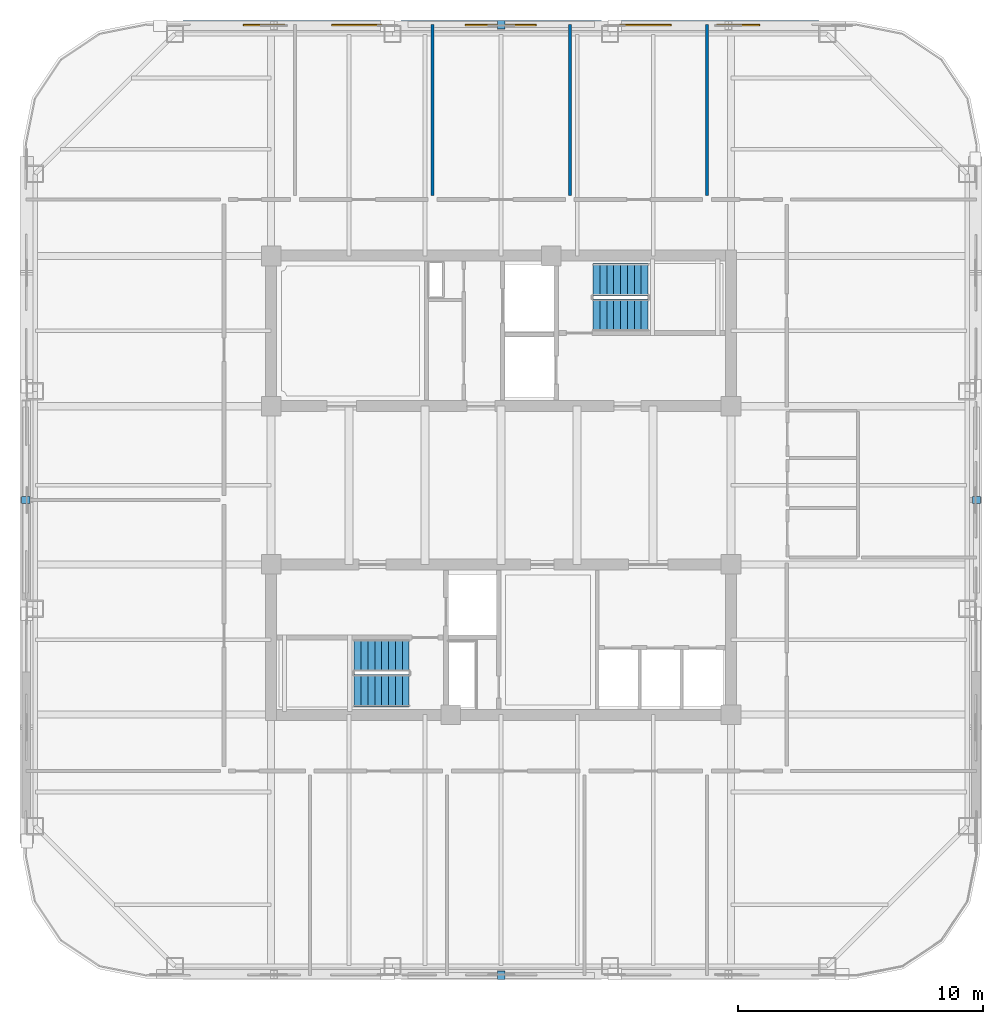
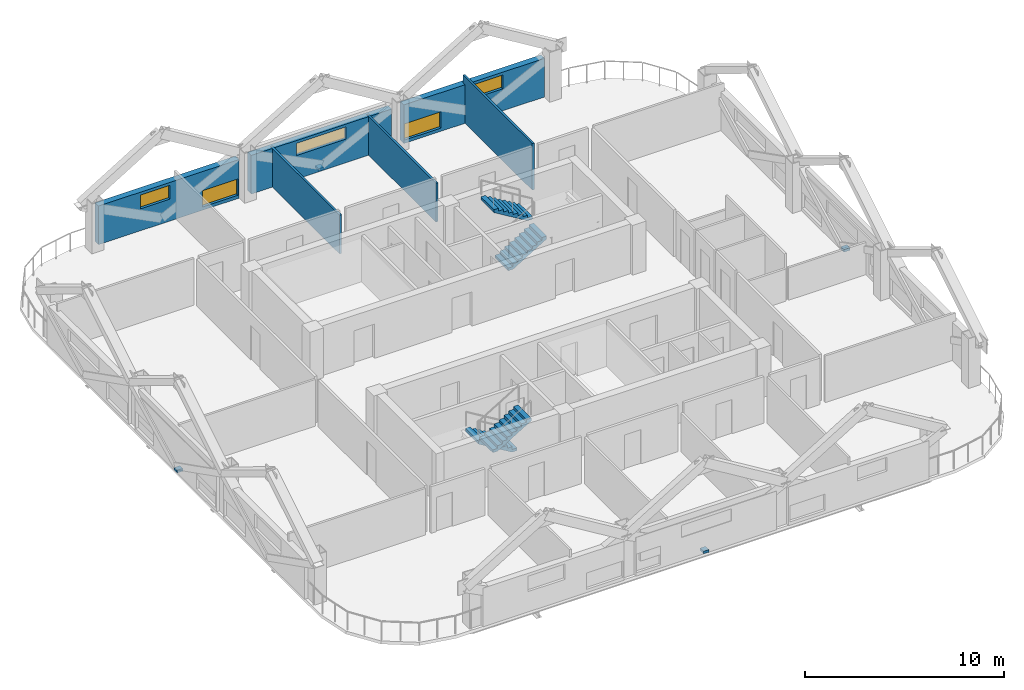
# One storey, part 6 of 9: 6 walls, 5 windows, 4 discrete accessories, 4 stair flights, 5 openings, 2 elements without a shape of their own.
"""IFC4 building model written with IfcOpenShell, lengths in metres."""

from ifc_helpers import new_model, si_unit, direction, frame, frame_2d, origin, origin_2d, place, context, subcontext, project, spatial, polyline, rectangle, outline, extrude, material, layer, layer_set, type_object, element, fill, aggregate, save


model = new_model("IFC4")

# Units and contexts
model_context = context("Model", 3, precision=1e-05, world=origin(), true_north=direction((0.0, 1.0)))
body_context = subcontext(model_context, "Body", "Model", "MODEL_VIEW")
ifc_project = project(units=[si_unit("LENGTHUNIT", "METRE"), si_unit("AREAUNIT", "SQUARE_METRE"), si_unit("VOLUMEUNIT", "CUBIC_METRE"), si_unit("PLANEANGLEUNIT", "RADIAN"), si_unit("MASSUNIT", "GRAM", prefix="KILO")], contexts=[model_context])

# Site, building, storey
site_placement = place(None, origin())
site = spatial("IfcSite", under=ifc_project, at=site_placement, CompositionType="ELEMENT")
building_placement = place(site_placement, origin())
building = spatial("IfcBuilding", under=site, at=building_placement, Name="Qhalaya Broadcast Tower", CompositionType="ELEMENT")
storey_placement = place(building_placement, frame((0.0, 0.0, 211.699951171875)))
storey = spatial("IfcBuildingStorey", under=building, at=storey_placement, Name="L62", CompositionType="ELEMENT", Elevation=211.699951171875)

# Wall, openings, windows
ifc_material_1 = material(Name="Precast Concrete C40/50", Category="concrete")
ifc_layer_1 = layer(ifc_material_1, 0.360107421875, Name="Precast Concrete C40/50")
ifc_layer_set_1 = layer_set([ifc_layer_1], Name="Precast Concrete C40/50")
wall_type_1 = type_object("IfcWallType", Name="Insulated Precast Terracotta Exterior Wall 360", PredefinedType="SOLIDWALL", material=ifc_layer_set_1)
wall_1_placement = place(storey_placement, frame((-12.9619140625, 19.360107421875, 0.0), z_axis=(0.0, 0.0, 1.0), x_axis=(1.0, 0.0, 0.0)))
wall_1 = element("IfcWall", 1, at=wall_1_placement, inside=storey, type_object=wall_type_1, Name="L62 Exoskeleton Diagrid Infill Wall N1", PredefinedType="SOLIDWALL", context=body_context, shape_type="SweptSolid", body=[
    extrude(rectangle(XDim=8.1787109375, YDim=0.360107421875, at=frame_2d((4.08935546875, 0.0))), origin(), (0.0, 0.0, 1.0), 2.3740234375),
])
opening_1_placement = place(wall_1_placement, frame((2.449951171875, 0.0, 1.35009765625)))
opening_1 = element("IfcOpeningElement", 2, at=opening_1_placement, cuts=wall_1, Name="Opening W13", PredefinedType="OPENING", context=body_context, shape_type="SweptSolid", body=[
    extrude(rectangle(XDim=1.699951171875, YDim=0.85009765625, at=frame_2d((0.85009765625, 0.425048828125))), frame((0.0, 0.192138671875, 0.0), z_axis=(0.0, -1.0, 0.0), x_axis=(1.0, 0.0, 0.0)), (0.0, 0.0, 1.0), 0.384033203125),
])
opening_2_placement = place(wall_1_placement, frame((6.050048828125, 0.0, 0.199951171875)))
opening_2 = element("IfcOpeningElement", 3, at=opening_2_placement, cuts=wall_1, Name="Opening W13", PredefinedType="OPENING", context=body_context, shape_type="SweptSolid", body=[
    extrude(rectangle(XDim=2.050048828125, YDim=1.0, at=frame_2d((1.02490234375, 0.5))), frame((0.0, 0.192138671875, 0.0), z_axis=(0.0, -1.0, 0.0), x_axis=(1.0, 0.0, 0.0)), (0.0, 0.0, 1.0), 0.384033203125),
])
ifc_material_2 = material(Name="Solar-Control Low-E Triple Glazing", Category="glass")
window_type = type_object("IfcWindowType", Name="Upper-Block Diagrid Infill Window W13", PartitioningType="SINGLE_PANEL", PredefinedType="WINDOW", material=ifc_material_2)
window_1_placement = place(opening_1_placement, origin())
window_1 = element("IfcWindow", 4, at=window_1_placement, inside=storey, type_object=window_type, Name="L62 Diagrid Infill Window W13-N1", OverallHeight=0.85009765625, OverallWidth=1.699951171875, PartitioningType="SINGLE_PANEL", PredefinedType="WINDOW", context=body_context, shape_type="SweptSolid", body=[
    extrude(rectangle(XDim=1.699951171875, YDim=0.85009765625, at=frame_2d((0.85009765625, 0.425048828125))), frame((0.0, 0.030029296875, 0.0), z_axis=(0.0, -1.0, 0.0), x_axis=(1.0, 0.0, 0.0)), (0.0, 0.0, 1.0), 0.06005859375),
])
fill(opening_1, window_1)
window_2_placement = place(opening_2_placement, origin())
window_2 = element("IfcWindow", 5, at=window_2_placement, inside=storey, type_object=window_type, Name="L62 Diagrid Infill Window W13-N2", OverallHeight=1.0, OverallWidth=2.050048828125, PartitioningType="SINGLE_PANEL", PredefinedType="WINDOW", context=body_context, shape_type="SweptSolid", body=[
    extrude(rectangle(XDim=2.050048828125, YDim=1.0, at=frame_2d((1.02490234375, 0.5))), frame((0.0, 0.030029296875, 0.0), z_axis=(0.0, -1.0, 0.0), x_axis=(1.0, 0.0, 0.0)), (0.0, 0.0, 1.0), 0.06005859375),
])
fill(opening_2, window_2)

# Wall, opening, window
wall_2_placement = place(storey_placement, frame((-4.083251953125, 19.360107421875, 0.0), z_axis=(0.0, 0.0, 1.0), x_axis=(1.0, 0.0, 0.0)))
wall_2 = element("IfcWall", 6, at=wall_2_placement, inside=storey, type_object=wall_type_1, Name="L62 Exoskeleton Diagrid Infill Wall N2", PredefinedType="SOLIDWALL", context=body_context, shape_type="SweptSolid", body=[
    extrude(rectangle(XDim=8.16650390625, YDim=0.360107421875, at=frame_2d((4.083251953125, 0.0))), origin(), (0.0, 0.0, 1.0), 2.3740234375),
])
opening_3_placement = place(wall_2_placement, frame((2.62109375, 0.0, 1.449951171875)))
opening_3 = element("IfcOpeningElement", 7, at=opening_3_placement, cuts=wall_2, Name="Opening W13", PredefinedType="OPENING", context=body_context, shape_type="SweptSolid", body=[
    extrude(rectangle(XDim=2.89990234375, YDim=0.75, at=frame_2d((1.449951171875, 0.375))), frame((0.0, 0.192138671875, 0.0), z_axis=(0.0, -1.0, 0.0), x_axis=(1.0, 0.0, 0.0)), (0.0, 0.0, 1.0), 0.384033203125),
])
window_3_placement = place(opening_3_placement, origin())
window_3 = element("IfcWindow", 8, at=window_3_placement, inside=storey, type_object=window_type, Name="L62 Diagrid Infill Window W13-N3", OverallHeight=0.75, OverallWidth=2.89990234375, PartitioningType="SINGLE_PANEL", PredefinedType="WINDOW", context=body_context, shape_type="SweptSolid", body=[
    extrude(rectangle(XDim=2.89990234375, YDim=0.75, at=frame_2d((1.449951171875, 0.375))), frame((0.0, 0.030029296875, 0.0), z_axis=(0.0, -1.0, 0.0), x_axis=(1.0, 0.0, 0.0)), (0.0, 0.0, 1.0), 0.06005859375),
])
fill(opening_3, window_3)

# Wall, openings, windows
wall_3_placement = place(storey_placement, frame((4.783203125, 19.360107421875, 0.0), z_axis=(0.0, 0.0, 1.0), x_axis=(1.0, 0.0, 0.0)))
wall_3 = element("IfcWall", 9, at=wall_3_placement, inside=storey, type_object=wall_type_1, Name="L62 Exoskeleton Diagrid Infill Wall N3", PredefinedType="SOLIDWALL", context=body_context, shape_type="SweptSolid", body=[
    extrude(rectangle(XDim=8.1787109375, YDim=0.360107421875, at=frame_2d((4.08935546875, 0.0))), origin(), (0.0, 0.0, 1.0), 2.3740234375),
])
opening_4_placement = place(wall_3_placement, frame((0.054931640625, 0.0, 0.199951171875)))
opening_4 = element("IfcOpeningElement", 10, at=opening_4_placement, cuts=wall_3, Name="Opening W13", PredefinedType="OPENING", context=body_context, shape_type="SweptSolid", body=[
    extrude(rectangle(XDim=2.10009765625, YDim=1.0, at=frame_2d((1.050048828125, 0.5))), frame((0.0, 0.192138671875, 0.0), z_axis=(0.0, -1.0, 0.0), x_axis=(1.0, 0.0, 0.0)), (0.0, 0.0, 1.0), 0.384033203125),
])
opening_5_placement = place(wall_3_placement, frame((4.0048828125, 0.0, 1.35009765625)))
opening_5 = element("IfcOpeningElement", 11, at=opening_5_placement, cuts=wall_3, Name="Opening W13", PredefinedType="OPENING", context=body_context, shape_type="SweptSolid", body=[
    extrude(rectangle(XDim=1.75, YDim=0.85009765625, at=frame_2d((0.875, 0.425048828125))), frame((0.0, 0.192138671875, 0.0), z_axis=(0.0, -1.0, 0.0), x_axis=(1.0, 0.0, 0.0)), (0.0, 0.0, 1.0), 0.384033203125),
])
window_4_placement = place(opening_4_placement, origin())
window_4 = element("IfcWindow", 12, at=window_4_placement, inside=storey, type_object=window_type, Name="L62 Diagrid Infill Window W13-N4", OverallHeight=1.0, OverallWidth=2.10009765625, PartitioningType="SINGLE_PANEL", PredefinedType="WINDOW", context=body_context, shape_type="SweptSolid", body=[
    extrude(rectangle(XDim=2.10009765625, YDim=1.0, at=frame_2d((1.050048828125, 0.5))), frame((0.0, 0.030029296875, 0.0), z_axis=(0.0, -1.0, 0.0), x_axis=(1.0, 0.0, 0.0)), (0.0, 0.0, 1.0), 0.06005859375),
])
fill(opening_4, window_4)
window_5_placement = place(opening_5_placement, origin())
window_5 = element("IfcWindow", 13, at=window_5_placement, inside=storey, type_object=window_type, Name="L62 Diagrid Infill Window W13-N5", OverallHeight=0.85009765625, OverallWidth=1.75, PartitioningType="SINGLE_PANEL", PredefinedType="WINDOW", context=body_context, shape_type="SweptSolid", body=[
    extrude(rectangle(XDim=1.75, YDim=0.85009765625, at=frame_2d((0.875, 0.425048828125))), frame((0.0, 0.030029296875, 0.0), z_axis=(0.0, -1.0, 0.0), x_axis=(1.0, 0.0, 0.0)), (0.0, 0.0, 1.0), 0.06005859375),
])
fill(opening_5, window_5)

# Walls
ifc_material_3 = material(Name="Gypsum Acoustic Partition")
ifc_layer_2 = layer(ifc_material_3, 0.1201171875, Name="Gypsum Acoustic Partition")
ifc_layer_set_2 = layer_set([ifc_layer_2], Name="Gypsum Acoustic Partition")
wall_type_2 = type_object("IfcWallType", Name="Office, Booth & Sanitary Partition 120", PredefinedType="PARTITIONING", material=ifc_layer_set_2)
for number, where, z_axis, x_axis, name in (
    (14, (-2.800048828125, 12.409912109375, 0.0), (0.0, 0.0, 1.0), (0.0, 1.0, 0.0), "L62 Partition Wall W-DIVN2"),
    (15, (2.800048828125, 12.409912109375, 0.0), (0.0, 0.0, 1.0), (0.0, 1.0, 0.0), "L62 Partition Wall W-DIVN3"),
):
    element("IfcWall", number, at=place(storey_placement, frame(where, z_axis=z_axis, x_axis=x_axis)), inside=storey, type_object=wall_type_2, Name=name, PredefinedType="PARTITIONING", context=body_context, shape_type="SweptSolid", body=[
        extrude(rectangle(XDim=6.969970703125, YDim=0.1201171875, at=frame_2d((3.48486328125, 0.0))), origin(), (0.0, 0.0, 1.0), 2.381103515625),
    ])
wall_4_placement = place(storey_placement, frame((8.39990234375, 12.409912109375, 0.0), z_axis=(0.0, 0.0, 1.0), x_axis=(0.0, 1.0, 0.0)))
element("IfcWall", 16, at=wall_4_placement, inside=storey, type_object=wall_type_2, Name="L62 Partition Wall W-DIVN4", PredefinedType="PARTITIONING", context=body_context, shape_type="SweptSolid", body=[
    extrude(rectangle(XDim=6.969970703125, YDim=0.1201171875, at=frame_2d((3.48486328125, 0.0))), origin(), (0.0, 0.0, 1.0), 2.860107421875),
])

# Stair, stair flights
ifc_material_4 = material(Name="Concrete C40/50", Category="concrete")
stair_type = type_object("IfcStairType", Name="Protected Dogleg Core Stair 3150", PredefinedType="TWO_STRAIGHT_RUN_STAIR", material=ifc_material_4)
stair_1_placement = place(storey_placement, origin())
stair_1 = element("IfcStair", 17, at=stair_1_placement, inside=storey, type_object=stair_type, Name="L62 North Core Exit Stair ST-1", PredefinedType="TWO_STRAIGHT_RUN_STAIR")
stair_flight_type = type_object("IfcStairFlightType", Name="Precast Concrete Stair Flight 3150", PredefinedType="STRAIGHT", material=ifc_material_1)
stair_flight_1_placement = place(storey_placement, frame((3.75, 7.5400390625, 0.0), z_axis=(0.0, 0.0, 1.0), x_axis=(1.0, 0.0, 0.0)))
stair_flight_1 = element("IfcStairFlight", 18, at=stair_flight_1_placement, type_object=stair_flight_type, Name="ST-1 flight 1", NumberOfRisers=9, NumberOfTreads=8, PredefinedType="STRAIGHT", RiserHeight=0.169444444, TreadLength=0.28, context=body_context, shape_type="SweptSolid", body=[
    extrude(outline(polyline([(0.0, 0.0), (0.0, 0.16943359375), (0.280029296875, 0.16943359375), (0.280029296875, 0.3388671875), (0.56005859375, 0.3388671875), (0.56005859375, 0.50830078125), (0.840087890625, 0.50830078125), (0.840087890625, 0.677734375), (1.1201171875, 0.677734375), (1.1201171875, 0.84716796875), (1.39990234375, 0.84716796875), (1.39990234375, 1.0166015625), (1.679931640625, 1.0166015625), (1.679931640625, 1.18603515625), (1.9599609375, 1.18603515625), (1.9599609375, 1.35546875), (2.239990234375, 1.35546875), (2.239990234375, 1.52490234375), (2.239990234375, 1.180419921875), (0.28955078125, 0.0), (0.0, 0.0)])), frame((0.0, 0.66015625, 0.0), z_axis=(0.0, -1.0, 0.0), x_axis=(1.0, 0.0, 0.0)), (0.0, 0.0, 1.0), 1.320068359375),
])
stair_flight_2_placement = place(storey_placement, frame((5.989990234375, 8.97998046875, 1.525146484375), z_axis=(0.0, 0.0, 1.0), x_axis=(-1.0, 0.0, 0.0)))
stair_flight_2 = element("IfcStairFlight", 19, at=stair_flight_2_placement, type_object=stair_flight_type, Name="ST-1 flight 2", NumberOfRisers=9, NumberOfTreads=8, PredefinedType="STRAIGHT", RiserHeight=0.169444444, TreadLength=0.28, context=body_context, shape_type="SweptSolid", body=[
    extrude(outline(polyline([(0.0, 0.0), (0.0, 0.16943359375), (0.280029296875, 0.16943359375), (0.280029296875, 0.3388671875), (0.56005859375, 0.3388671875), (0.56005859375, 0.50830078125), (0.840087890625, 0.50830078125), (0.840087890625, 0.677734375), (1.1201171875, 0.677734375), (1.1201171875, 0.84716796875), (1.39990234375, 0.84716796875), (1.39990234375, 1.0166015625), (1.679931640625, 1.0166015625), (1.679931640625, 1.18603515625), (1.9599609375, 1.18603515625), (1.9599609375, 1.35546875), (2.239990234375, 1.35546875), (2.239990234375, 1.52490234375), (2.239990234375, 1.180419921875), (0.28955078125, 0.0), (0.0, 0.0)])), frame((0.0, 0.66015625, 0.0), z_axis=(0.0, -1.0, 0.0), x_axis=(1.0, 0.0, 0.0)), (0.0, 0.0, 1.0), 1.320068359375),
])
aggregate(stair_1, [stair_flight_1, stair_flight_2])

stair_2_placement = place(storey_placement, origin())
stair_2 = element("IfcStair", 20, at=stair_2_placement, inside=storey, type_object=stair_type, Name="L62 South Core Exit Stair ST-2", PredefinedType="TWO_STRAIGHT_RUN_STAIR")
stair_flight_3_placement = place(storey_placement, frame((-3.75, -6.340087890625, 0.0), z_axis=(0.0, 0.0, 1.0), x_axis=(-1.0, 0.0, 0.0)))
stair_flight_3 = element("IfcStairFlight", 21, at=stair_flight_3_placement, type_object=stair_flight_type, Name="ST-2 flight 1", NumberOfRisers=9, NumberOfTreads=8, PredefinedType="STRAIGHT", RiserHeight=0.169444444, TreadLength=0.28, context=body_context, shape_type="SweptSolid", body=[
    extrude(outline(polyline([(0.0, 0.0), (0.0, 0.16943359375), (0.280029296875, 0.16943359375), (0.280029296875, 0.3388671875), (0.56005859375, 0.3388671875), (0.56005859375, 0.50830078125), (0.840087890625, 0.50830078125), (0.840087890625, 0.677734375), (1.1201171875, 0.677734375), (1.1201171875, 0.84716796875), (1.39990234375, 0.84716796875), (1.39990234375, 1.0166015625), (1.679931640625, 1.0166015625), (1.679931640625, 1.18603515625), (1.9599609375, 1.18603515625), (1.9599609375, 1.35546875), (2.239990234375, 1.35546875), (2.239990234375, 1.52490234375), (2.239990234375, 1.180419921875), (0.28955078125, 0.0), (0.0, 0.0)])), frame((0.0, 0.66015625, 0.0), z_axis=(0.0, -1.0, 0.0), x_axis=(1.0, 0.0, 0.0)), (0.0, 0.0, 1.0), 1.320068359375),
])
stair_flight_4_placement = place(storey_placement, frame((-5.989990234375, -7.780029296875, 1.525146484375), z_axis=(0.0, 0.0, 1.0), x_axis=(1.0, 0.0, 0.0)))
stair_flight_4 = element("IfcStairFlight", 22, at=stair_flight_4_placement, type_object=stair_flight_type, Name="ST-2 flight 2", NumberOfRisers=9, NumberOfTreads=8, PredefinedType="STRAIGHT", RiserHeight=0.169444444, TreadLength=0.28, context=body_context, shape_type="SweptSolid", body=[
    extrude(outline(polyline([(0.0, 0.0), (0.0, 0.16943359375), (0.280029296875, 0.16943359375), (0.280029296875, 0.3388671875), (0.56005859375, 0.3388671875), (0.56005859375, 0.50830078125), (0.840087890625, 0.50830078125), (0.840087890625, 0.677734375), (1.1201171875, 0.677734375), (1.1201171875, 0.84716796875), (1.39990234375, 0.84716796875), (1.39990234375, 1.0166015625), (1.679931640625, 1.0166015625), (1.679931640625, 1.18603515625), (1.9599609375, 1.18603515625), (1.9599609375, 1.35546875), (2.239990234375, 1.35546875), (2.239990234375, 1.52490234375), (2.239990234375, 1.180419921875), (0.28955078125, 0.0), (0.0, 0.0)])), frame((0.0, 0.66015625, 0.0), z_axis=(0.0, -1.0, 0.0), x_axis=(1.0, 0.0, 0.0)), (0.0, 0.0, 1.0), 1.320068359375),
])
aggregate(stair_2, [stair_flight_3, stair_flight_4])

# Discrete accessories
ifc_material_5 = material(Name="Structural Steel ASTM A572 Grade 50", Category="steel")
discrete_accessory_type = type_object("IfcDiscreteAccessoryType", Name="Facade Baguette Support Bracket BRK-01", PredefinedType="BRACKET", material=ifc_material_5)
for number, where, z_axis, x_axis, name in (
    (23, (0.0, -19.3798828125, 0.0), (0.0, 0.0, 1.0), (1.0, 0.0, 0.0), "L62 Baguette Support Bracket S"),
    (24, (19.3798828125, 0.0, 0.0), (0.0, 0.0, 1.0), (0.0, 1.0, 0.0), "L62 Baguette Support Bracket E"),
    (25, (0.0, 19.3798828125, 0.0), (0.0, 0.0, 1.0), (-1.0, 0.0, 0.0), "L62 Baguette Support Bracket N"),
    (26, (-19.3798828125, 0.0, 0.0), (0.0, 0.0, 1.0), (0.0, -1.0, 0.0), "L62 Baguette Support Bracket W"),
):
    element("IfcDiscreteAccessory", number, at=place(storey_placement, frame(where, z_axis=z_axis, x_axis=x_axis)), inside=storey, type_object=discrete_accessory_type, Name=name, PredefinedType="BRACKET", context=body_context, shape_type="SweptSolid", body=[
        extrude(rectangle(XDim=0.300048828125, YDim=0.340087890625, at=origin_2d()), origin(), (0.0, 0.0, 1.0), 0.159912109375),
    ])

save(model, "model.ifc")
